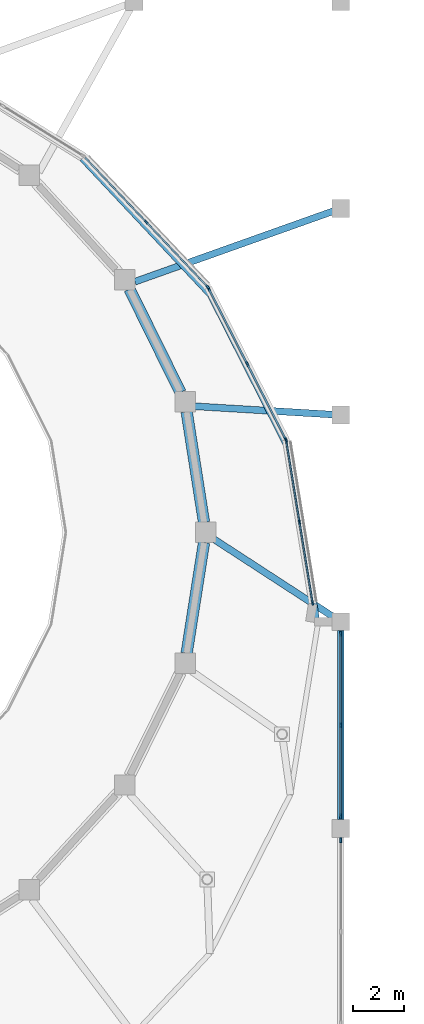
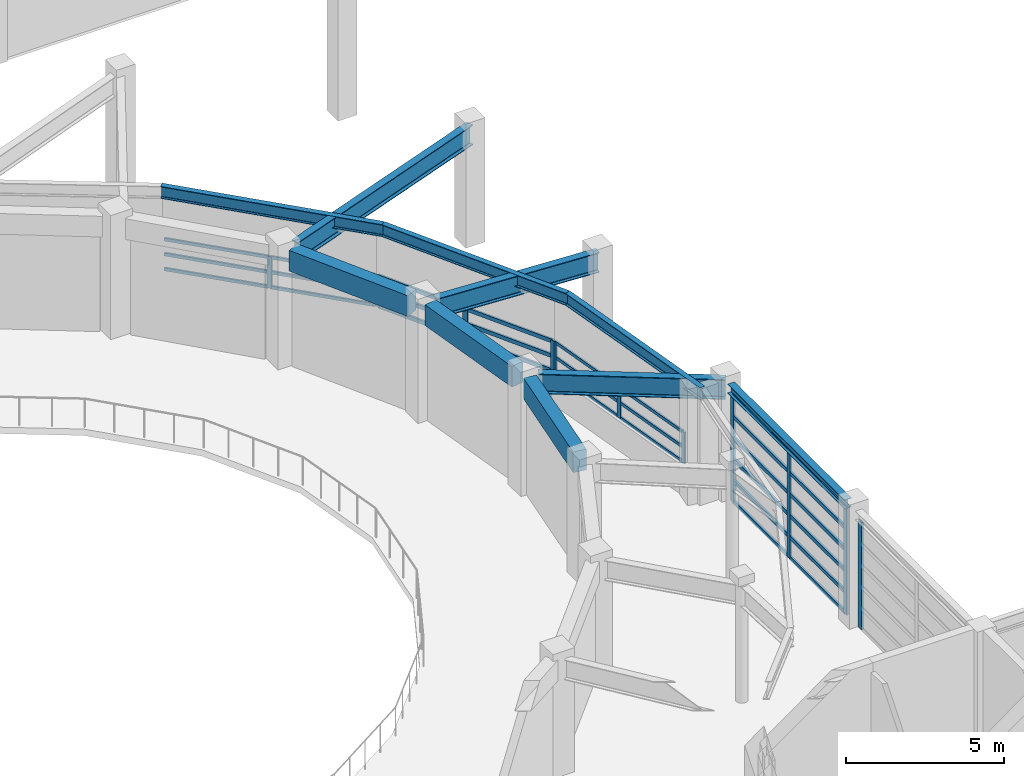
# One storey, part 22 of 58: 42 members, 10 beams, 5 elements without a shape of their own.
"""IFC4 building model written with IfcOpenShell, lengths in metres."""

from ifc_helpers import new_model, si_unit, direction, frame, origin, origin_2d, place, context, subcontext, project, spatial, rectangle, i_section, extrude, material, material_profile, profile_set, type_object, element, aggregate, save


model = new_model("IFC4")

# Units and contexts
model_context = context("Model", 3, precision=1e-05, world=origin(), true_north=direction((0.0, 1.0)))
body_context = subcontext(model_context, "Body", "Model", "MODEL_VIEW")
ifc_project = project(units=[si_unit("LENGTHUNIT", "METRE"), si_unit("AREAUNIT", "SQUARE_METRE"), si_unit("VOLUMEUNIT", "CUBIC_METRE"), si_unit("PLANEANGLEUNIT", "RADIAN"), si_unit("MASSUNIT", "GRAM", prefix="KILO")], contexts=[model_context])

# Site, building, storey
site_placement = place(None, origin())
site = spatial("IfcSite", under=ifc_project, at=site_placement, CompositionType="ELEMENT")
building_placement = place(site_placement, origin())
building = spatial("IfcBuilding", under=site, at=building_placement, Name="Parian Resonance Hall", CompositionType="ELEMENT")
storey_placement = place(building_placement, frame((0.0, 0.0, 10.199951171875)))
storey = spatial("IfcBuildingStorey", under=building, at=storey_placement, Name="L02", CompositionType="ELEMENT", Elevation=10.199951171875)

# Beams
ifc_material_1 = material(Name="Concrete C40/50", Category="concrete")
ifc_material_profile_1 = material_profile(ifc_material_1, rectangle(XDim=0.449951171875, YDim=0.800048828125, at=origin_2d()), Name="RC-BM-450x800")
ifc_profile_set_1 = profile_set([ifc_material_profile_1], Name="Concrete C40/50")
beam_type_1 = type_object("IfcBeamType", Name="BM-RC450x800", PredefinedType="USERDEFINED", material=ifc_profile_set_1)
beam_1_placement = place(storey_placement, frame((67.5380859375, 44.395263671875, 4.130126953125), z_axis=(-0.155033793728, 0.987909167283, 0.0), x_axis=(-0.987909167283, -0.155033793728, 0.0)))
element("IfcBeam", 1, at=beam_1_placement, inside=storey, type_object=beam_type_1, Name="Concert hall drum ring beam L02-01", ObjectType="GIRDER", PredefinedType="USERDEFINED", context=body_context, shape_type="SweptSolid", body=[
    extrude(rectangle(XDim=0.449951171875, YDim=0.800048828125, at=origin_2d()), origin(), (0.0, 0.0, 1.0), 4.38720703125),
])
beam_2_placement = place(storey_placement, frame((66.61865234375, 49.4833984375, 4.130126953125), z_axis=(-0.442697851544, 0.896670849441, 0.0), x_axis=(-0.896670849441, -0.442697851544, 0.0)))
element("IfcBeam", 2, at=beam_2_placement, inside=storey, type_object=beam_type_1, Name="Concert hall drum ring beam L02-02", ObjectType="GIRDER", PredefinedType="USERDEFINED", context=body_context, shape_type="SweptSolid", body=[
    extrude(rectangle(XDim=0.449951171875, YDim=0.800048828125, at=origin_2d()), origin(), (0.0, 0.0, 1.0), 4.525390625),
])
beam_3_placement = place(storey_placement, frame((66.85791015625, 39.2705078125, 4.130126953125), z_axis=(0.155033793728, 0.987909167283, 0.0), x_axis=(-0.987909167283, 0.155033793728, 0.0)))
element("IfcBeam", 3, at=beam_3_placement, inside=storey, type_object=beam_type_1, Name="Concert hall drum ring beam L02-24", ObjectType="GIRDER", PredefinedType="USERDEFINED", context=body_context, shape_type="SweptSolid", body=[
    extrude(rectangle(XDim=0.449951171875, YDim=0.800048828125, at=origin_2d()), origin(), (0.0, 0.0, 1.0), 4.38720703125),
])
ifc_material_2 = material(Name="Steel S355", Category="steel")
ifc_material_profile_2 = material_profile(ifc_material_2, i_section(OverallWidth=0.2548828125, OverallDepth=0.35693359375, WebThickness=0.010498046875, FlangeThickness=0.018310546875, FilletRadius=0.01513671875, at=origin_2d()), Name="W360x101")
ifc_profile_set_2 = profile_set([ifc_material_profile_2], Name="Steel S355")
beam_type_2 = type_object("IfcBeamType", Name="BM-W360x101", PredefinedType="SPANDREL", material=ifc_profile_set_2)
beam_4_placement = place(storey_placement, frame((72.89990234375, 32.75, 4.321533203125), z_axis=(0.0, 1.0, 0.0), x_axis=(-1.0, 0.0, 0.0)))
element("IfcBeam", 4, at=beam_4_placement, inside=storey, type_object=beam_type_2, Name="GY-L02-0764", PredefinedType="SPANDREL", context=body_context, shape_type="SweptSolid", body=[
    extrude(i_section(OverallWidth=0.2548828125, OverallDepth=0.35693359375, WebThickness=0.010498046875, FlangeThickness=0.018310546875, FilletRadius=0.01513671875, at=origin_2d()), origin(), (0.0, 0.0, 1.0), 7.39990234375),
])
ifc_material_3 = material(Name="Steel S355", Category="steel")
ifc_material_profile_3 = material_profile(ifc_material_3, i_section(OverallWidth=0.194091796875, OverallDepth=0.468994140625, WebThickness=0.0126953125, FlangeThickness=0.0205078125, FilletRadius=0.01513671875, at=origin_2d()), Name="W460x106")
ifc_profile_set_3 = profile_set([ifc_material_profile_3], Name="Steel S355")
beam_type_3 = type_object("IfcBeamType", Name="BM-W460x106", PredefinedType="SPANDREL", material=ifc_profile_set_3)
beam_5_placement = place(storey_placement, frame((72.0, 40.39990234375, 4.265625), z_axis=(-0.159181370366, 0.987249356206, 0.0), x_axis=(-0.987249356206, -0.159181370366, 0.0)))
element("IfcBeam", 5, at=beam_5_placement, inside=storey, type_object=beam_type_3, Name="Elliptical R3 perimeter spandrel beam 01", PredefinedType="SPANDREL", context=body_context, shape_type="SweptSolid", body=[
    extrude(i_section(OverallWidth=0.194091796875, OverallDepth=0.468994140625, WebThickness=0.0126953125, FlangeThickness=0.0205078125, FilletRadius=0.01513671875, at=origin_2d()), origin(), (0.0, 0.0, 1.0), 6.763671875),
])
beam_6_placement = place(storey_placement, frame((70.92333984375, 47.077392578125, 4.265625), z_axis=(-0.452440262938, 0.891794712068, 0.0), x_axis=(-0.891794712068, -0.452440262938, 0.0)))
element("IfcBeam", 6, at=beam_6_placement, inside=storey, type_object=beam_type_3, Name="Elliptical R3 perimeter spandrel beam 02", PredefinedType="SPANDREL", context=body_context, shape_type="SweptSolid", body=[
    extrude(i_section(OverallWidth=0.194091796875, OverallDepth=0.468994140625, WebThickness=0.0126953125, FlangeThickness=0.0205078125, FilletRadius=0.01513671875, at=origin_2d()), origin(), (0.0, 0.0, 1.0), 6.977783203125),
])
beam_7_placement = place(storey_placement, frame((67.766357421875, 53.300048828125, 4.265625), z_axis=(-0.684842129235, 0.728691469708, 0.0), x_axis=(-0.728691469708, -0.684842129235, 0.0)))
element("IfcBeam", 7, at=beam_7_placement, inside=storey, type_object=beam_type_3, Name="Elliptical R3 perimeter spandrel beam 03", PredefinedType="SPANDREL", context=body_context, shape_type="SweptSolid", body=[
    extrude(i_section(OverallWidth=0.194091796875, OverallDepth=0.468994140625, WebThickness=0.0126953125, FlangeThickness=0.0205078125, FilletRadius=0.01513671875, at=origin_2d()), origin(), (0.0, 0.0, 1.0), 7.332763671875),
])
ifc_material_4 = material(Name="Steel S355", Category="steel")
ifc_material_profile_4 = material_profile(ifc_material_4, i_section(OverallWidth=0.26806640625, OverallDepth=0.77001953125, WebThickness=0.015625, FlangeThickness=0.025390625, FilletRadius=0.020263671875, at=origin_2d()), Name="W760x196")
ifc_profile_set_4 = profile_set([ifc_material_profile_4], Name="Steel S355")
beam_type_4 = type_object("IfcBeamType", Name="CG3 W760x196", PredefinedType="USERDEFINED", material=ifc_profile_set_4)
beam_8_placement = place(storey_placement, frame((67.90966796875, 43.74658203125, 4.114990234375), z_axis=(0.838218681533, -0.545334247897, 0.0), x_axis=(0.545334247897, 0.838218681533, 0.0)))
element("IfcBeam", 8, at=beam_8_placement, inside=storey, type_object=beam_type_4, Name="Radial spine girder R3-01", ObjectType="GIRDER", PredefinedType="USERDEFINED", context=body_context, shape_type="SweptSolid", body=[
    extrude(i_section(OverallWidth=0.26806640625, OverallDepth=0.77001953125, WebThickness=0.015625, FlangeThickness=0.025390625, FilletRadius=0.020263671875, at=origin_2d()), origin(), (0.0, 0.0, 1.0), 5.953369140625),
])
beam_9_placement = place(storey_placement, frame((67.154052734375, 48.947021484375, 4.114990234375), z_axis=(0.998182207481, -0.060268405219, 0.0), x_axis=(0.060268405219, 0.998182207481, 0.0)))
element("IfcBeam", 9, at=beam_9_placement, inside=storey, type_object=beam_type_4, Name="Radial spine girder R3-02", ObjectType="GIRDER", PredefinedType="USERDEFINED", context=body_context, shape_type="SweptSolid", body=[
    extrude(i_section(OverallWidth=0.26806640625, OverallDepth=0.77001953125, WebThickness=0.015625, FlangeThickness=0.025390625, FilletRadius=0.020263671875, at=origin_2d()), origin(), (0.0, 0.0, 1.0), 5.75634765625),
])
beam_10_placement = place(storey_placement, frame((64.831787109375, 53.8291015625, 4.114990234375), z_axis=(0.942134073154, 0.335236316949, 0.0), x_axis=(-0.335236316949, 0.942134073154, 0.0)))
element("IfcBeam", 10, at=beam_10_placement, inside=storey, type_object=beam_type_4, Name="Radial spine girder R3-03", ObjectType="GIRDER", PredefinedType="USERDEFINED", context=body_context, shape_type="SweptSolid", body=[
    extrude(i_section(OverallWidth=0.26806640625, OverallDepth=0.77001953125, WebThickness=0.015625, FlangeThickness=0.025390625, FilletRadius=0.020263671875, at=origin_2d()), origin(), (0.0, 0.0, 1.0), 8.563720703125),
])

# Curtain wall, members
ifc_material_5 = material(Name="Bronze-anodised aluminium frame", Category="aluminium")
curtain_wall_type_1 = type_object("IfcCurtainWallType", Name="CW-SYS-02", PredefinedType="NOTDEFINED", material=ifc_material_5)
curtain_wall_1_placement = place(storey_placement, origin())
curtain_wall_1 = element("IfcCurtainWall", 11, at=curtain_wall_1_placement, inside=storey, type_object=curtain_wall_type_1, Name="Elliptical R2 recessed strip curtain wall 01", PredefinedType="NOTDEFINED")
ifc_material_6 = material(Name="Bronze-anodised aluminium frame", Category="aluminium")
ifc_material_profile_5 = material_profile(ifc_material_6, rectangle(XDim=0.06494140625, YDim=0.159912109375, at=origin_2d()), Name="CWM-65x160")
ifc_profile_set_5 = profile_set([ifc_material_profile_5], Name="Bronze-anodised aluminium frame")
member_type_1 = type_object("IfcMemberType", Name="CWM-65x160", PredefinedType="MULLION", material=ifc_profile_set_5)
member_1_placement = place(storey_placement, frame((70.762451171875, 47.586669921875, 1.14208984375), z_axis=(0.0, 0.0, 1.0), x_axis=(0.98706098059, 0.160345316726, 0.0)))
member_1 = element("IfcMember", 12, at=member_1_placement, type_object=member_type_1, Name="CW-02 mullion 1", PredefinedType="MULLION", context=body_context, shape_type="SweptSolid", body=[
    extrude(rectangle(XDim=0.06494140625, YDim=0.159912109375, at=origin_2d()), origin(), (0.0, 0.0, 1.0), 1.218017578125),
])
member_2_placement = place(storey_placement, frame((71.278564453125, 44.409423828125, 1.14208984375), z_axis=(0.0, 0.0, 1.0), x_axis=(0.98706098059, 0.160345316726, 0.0)))
member_2 = element("IfcMember", 13, at=member_2_placement, type_object=member_type_1, Name="CW-02 mullion 2", PredefinedType="MULLION", context=body_context, shape_type="SweptSolid", body=[
    extrude(rectangle(XDim=0.06494140625, YDim=0.159912109375, at=origin_2d()), origin(), (0.0, 0.0, 1.0), 1.218017578125),
])
member_3_placement = place(storey_placement, frame((71.794677734375, 41.232177734375, 1.14208984375), z_axis=(0.0, 0.0, 1.0), x_axis=(0.98706098059, 0.160345316726, 0.0)))
member_3 = element("IfcMember", 14, at=member_3_placement, type_object=member_type_1, Name="CW-02 mullion 3", PredefinedType="MULLION", context=body_context, shape_type="SweptSolid", body=[
    extrude(rectangle(XDim=0.06494140625, YDim=0.159912109375, at=origin_2d()), origin(), (0.0, 0.0, 1.0), 1.218017578125),
])

ifc_material_7 = material(Name="Bronze-anodised aluminium frame", Category="aluminium")
curtain_wall_type_2 = type_object("IfcCurtainWallType", Name="CW-SYS-04", PredefinedType="NOTDEFINED", material=ifc_material_7)
curtain_wall_2_placement = place(storey_placement, origin())
curtain_wall_2 = element("IfcCurtainWall", 15, at=curtain_wall_2_placement, inside=storey, type_object=curtain_wall_type_2, Name="Elliptical R2 recessed strip curtain wall 03", PredefinedType="NOTDEFINED")
member_4_placement = place(storey_placement, frame((65.26904296875, 56.168212890625, 1.14208984375), z_axis=(0.0, 0.0, 1.0), x_axis=(0.72616255486, 0.687523049737, 0.0)))
member_4 = element("IfcMember", 16, at=member_4_placement, type_object=member_type_1, Name="CW-04 mullion 2", PredefinedType="MULLION", context=body_context, shape_type="SweptSolid", body=[
    extrude(rectangle(XDim=0.06494140625, YDim=0.159912109375, at=origin_2d()), origin(), (0.0, 0.0, 1.0), 1.218017578125),
])
member_5_placement = place(storey_placement, frame((67.677978515625, 53.62353515625, 1.14208984375), z_axis=(0.0, 0.0, 1.0), x_axis=(0.72616255486, 0.687523049737, 0.0)))
member_5 = element("IfcMember", 17, at=member_5_placement, type_object=member_type_1, Name="CW-04 mullion 3", PredefinedType="MULLION", context=body_context, shape_type="SweptSolid", body=[
    extrude(rectangle(XDim=0.06494140625, YDim=0.159912109375, at=origin_2d()), origin(), (0.0, 0.0, 1.0), 1.218017578125),
])

ifc_material_8 = material(Name="Bronze-anodised aluminium frame", Category="aluminium")
curtain_wall_type_3 = type_object("IfcCurtainWallType", Name="CW-SYS-03", PredefinedType="NOTDEFINED", material=ifc_material_8)
curtain_wall_3_placement = place(storey_placement, origin())
curtain_wall_3 = element("IfcCurtainWall", 18, at=curtain_wall_3_placement, inside=storey, type_object=curtain_wall_type_3, Name="Elliptical R2 recessed strip curtain wall 02", PredefinedType="NOTDEFINED")
ifc_material_9 = material(Name="Bronze-anodised aluminium frame", Category="aluminium")
ifc_material_profile_6 = material_profile(ifc_material_9, rectangle(XDim=0.074951171875, YDim=0.199951171875, at=origin_2d()), Name="CWM-75x200")
ifc_profile_set_6 = profile_set([ifc_material_profile_6], Name="Bronze-anodised aluminium frame")
member_type_2 = type_object("IfcMemberType", Name="CWM-75x200", PredefinedType="MULLION", material=ifc_profile_set_6)
member_6_placement = place(storey_placement, frame((67.717529296875, 53.566650390625, 1.14208984375), z_axis=(0.0, 0.0, 1.0), x_axis=(0.890447284085, 0.455086403076, 0.0)))
member_6 = element("IfcMember", 19, at=member_6_placement, type_object=member_type_2, Name="CW-03 mullion 1", PredefinedType="MULLION", context=body_context, shape_type="SweptSolid", body=[
    extrude(rectangle(XDim=0.074951171875, YDim=0.199951171875, at=origin_2d()), origin(), (0.0, 0.0, 1.0), 1.218017578125),
])
member_7_placement = place(storey_placement, frame((69.228759765625, 50.609375, 1.14208984375), z_axis=(0.0, 0.0, 1.0), x_axis=(0.890447284085, 0.455086403076, 0.0)))
member_7 = element("IfcMember", 20, at=member_7_placement, type_object=member_type_2, Name="CW-03 mullion 2", PredefinedType="MULLION", context=body_context, shape_type="SweptSolid", body=[
    extrude(rectangle(XDim=0.074951171875, YDim=0.199951171875, at=origin_2d()), origin(), (0.0, 0.0, 1.0), 1.218017578125),
])
member_8_placement = place(storey_placement, frame((70.740234375, 47.652099609375, 1.14208984375), z_axis=(0.0, 0.0, 1.0), x_axis=(0.890447284085, 0.455086403076, 0.0)))
member_8 = element("IfcMember", 21, at=member_8_placement, type_object=member_type_2, Name="CW-03 mullion 3", PredefinedType="MULLION", context=body_context, shape_type="SweptSolid", body=[
    extrude(rectangle(XDim=0.074951171875, YDim=0.199951171875, at=origin_2d()), origin(), (0.0, 0.0, 1.0), 1.218017578125),
])

# Curtain wall, member
curtain_wall_4_placement = place(storey_placement, origin())
curtain_wall_4 = element("IfcCurtainWall", 22, at=curtain_wall_4_placement, inside=storey, type_object=curtain_wall_type_2, Name="Curtain wall CW-L02-132", PredefinedType="NOTDEFINED")
member_9_placement = place(storey_placement, frame((72.89990234375, 31.9326171875, -0.008056640625), z_axis=(0.0, 0.0, 1.0), x_axis=(1.0, 0.0, 0.0)))
member_9 = element("IfcMember", 23, at=member_9_placement, type_object=member_type_2, Name="CW-04 mullion 1", PredefinedType="MULLION", context=body_context, shape_type="SweptSolid", body=[
    extrude(rectangle(XDim=0.074951171875, YDim=0.199951171875, at=origin_2d()), origin(), (0.0, 0.0, 1.0), 4.155029296875),
])
aggregate(curtain_wall_4, [member_9])

# Curtain wall, members
ifc_material_10 = material(Name="Bronze-anodised aluminium frame", Category="aluminium")
curtain_wall_type_4 = type_object("IfcCurtainWallType", Name="CW-SYS-05", PredefinedType="NOTDEFINED", material=ifc_material_10)
curtain_wall_5_placement = place(storey_placement, origin())
curtain_wall_5 = element("IfcCurtainWall", 24, at=curtain_wall_5_placement, inside=storey, type_object=curtain_wall_type_4, Name="Curtain wall CW-L02-136", PredefinedType="NOTDEFINED")
member_10_placement = place(storey_placement, frame((72.89990234375, 40.032470703125, -0.008056640625), z_axis=(0.0, 0.0, 1.0), x_axis=(1.0, 0.0, 0.0)))
member_10 = element("IfcMember", 25, at=member_10_placement, type_object=member_type_2, Name="CW-05 mullion 1", PredefinedType="MULLION", context=body_context, shape_type="SweptSolid", body=[
    extrude(rectangle(XDim=0.074951171875, YDim=0.199951171875, at=origin_2d()), origin(), (0.0, 0.0, 1.0), 4.155029296875),
])
member_11_placement = place(storey_placement, frame((72.89990234375, 36.449951171875, -0.008056640625), z_axis=(0.0, 0.0, 1.0), x_axis=(1.0, 0.0, 0.0)))
member_11 = element("IfcMember", 26, at=member_11_placement, type_object=member_type_2, Name="CW-05 mullion 2", PredefinedType="MULLION", context=body_context, shape_type="SweptSolid", body=[
    extrude(rectangle(XDim=0.074951171875, YDim=0.199951171875, at=origin_2d()), origin(), (0.0, 0.0, 1.0), 4.155029296875),
])
member_12_placement = place(storey_placement, frame((72.89990234375, 32.867431640625, -0.008056640625), z_axis=(0.0, 0.0, 1.0), x_axis=(1.0, 0.0, 0.0)))
member_12 = element("IfcMember", 27, at=member_12_placement, type_object=member_type_2, Name="CW-05 mullion 3", PredefinedType="MULLION", context=body_context, shape_type="SweptSolid", body=[
    extrude(rectangle(XDim=0.074951171875, YDim=0.199951171875, at=origin_2d()), origin(), (0.0, 0.0, 1.0), 4.155029296875),
])

# Member
ifc_material_11 = material(Name="Bronze-anodised aluminium frame", Category="aluminium")
ifc_material_profile_7 = material_profile(ifc_material_11, rectangle(XDim=0.06494140625, YDim=0.1201171875, at=origin_2d()), Name="CWT-65x120")
ifc_profile_set_7 = profile_set([ifc_material_profile_7], Name="Bronze-anodised aluminium frame")
member_type_3 = type_object("IfcMemberType", Name="CWT-65x120", PredefinedType="USERDEFINED", material=ifc_profile_set_7)
member_13_placement = place(storey_placement, frame((70.767822265625, 47.554443359375, 1.174560546875), z_axis=(0.160317821363, -0.987065446743, 0.0), x_axis=(0.987065446743, 0.160317821363, 0.0)))
member_13 = element("IfcMember", 28, at=member_13_placement, type_object=member_type_3, Name="CW-02 transom 1.1", ObjectType="TRANSOM", PredefinedType="USERDEFINED", context=body_context, shape_type="SweptSolid", body=[
    extrude(rectangle(XDim=0.06494140625, YDim=0.1201171875, at=origin_2d()), origin(), (0.0, 0.0, 1.0), 3.15380859375),
])

member_14_placement = place(storey_placement, frame((70.767822265625, 47.554443359375, 1.75), z_axis=(0.160317821363, -0.987065446743, 0.0), x_axis=(0.987065446743, 0.160317821363, 0.0)))
member_14 = element("IfcMember", 29, at=member_14_placement, type_object=member_type_3, Name="CW-02 transom 1.2", ObjectType="TRANSOM", PredefinedType="USERDEFINED", context=body_context, shape_type="SweptSolid", body=[
    extrude(rectangle(XDim=0.06494140625, YDim=0.1201171875, at=origin_2d()), origin(), (0.0, 0.0, 1.0), 3.15380859375),
])

member_15_placement = place(storey_placement, frame((70.767822265625, 47.554443359375, 2.32763671875), z_axis=(0.160317821363, -0.987065446743, 0.0), x_axis=(0.987065446743, 0.160317821363, 0.0)))
member_15 = element("IfcMember", 30, at=member_15_placement, type_object=member_type_3, Name="CW-02 transom 1.3", ObjectType="TRANSOM", PredefinedType="USERDEFINED", context=body_context, shape_type="SweptSolid", body=[
    extrude(rectangle(XDim=0.06494140625, YDim=0.1201171875, at=origin_2d()), origin(), (0.0, 0.0, 1.0), 3.15380859375),
])

member_16_placement = place(storey_placement, frame((71.283935546875, 44.377197265625, 1.174560546875), z_axis=(0.160317821363, -0.987065446743, 0.0), x_axis=(0.987065446743, 0.160317821363, 0.0)))
member_16 = element("IfcMember", 31, at=member_16_placement, type_object=member_type_3, Name="CW-02 transom 2.1", ObjectType="TRANSOM", PredefinedType="USERDEFINED", context=body_context, shape_type="SweptSolid", body=[
    extrude(rectangle(XDim=0.06494140625, YDim=0.1201171875, at=origin_2d()), origin(), (0.0, 0.0, 1.0), 3.15380859375),
])

member_17_placement = place(storey_placement, frame((71.283935546875, 44.377197265625, 1.75), z_axis=(0.160317821363, -0.987065446743, 0.0), x_axis=(0.987065446743, 0.160317821363, 0.0)))
member_17 = element("IfcMember", 32, at=member_17_placement, type_object=member_type_3, Name="CW-02 transom 2.2", ObjectType="TRANSOM", PredefinedType="USERDEFINED", context=body_context, shape_type="SweptSolid", body=[
    extrude(rectangle(XDim=0.06494140625, YDim=0.1201171875, at=origin_2d()), origin(), (0.0, 0.0, 1.0), 3.15380859375),
])

member_18_placement = place(storey_placement, frame((71.283935546875, 44.377197265625, 2.32763671875), z_axis=(0.160317821363, -0.987065446743, 0.0), x_axis=(0.987065446743, 0.160317821363, 0.0)))
member_18 = element("IfcMember", 33, at=member_18_placement, type_object=member_type_3, Name="CW-02 transom 2.3", ObjectType="TRANSOM", PredefinedType="USERDEFINED", context=body_context, shape_type="SweptSolid", body=[
    extrude(rectangle(XDim=0.06494140625, YDim=0.1201171875, at=origin_2d()), origin(), (0.0, 0.0, 1.0), 3.15380859375),
])

aggregate(curtain_wall_1, [member_1, member_2, member_3, member_13, member_14, member_15, member_16, member_17, member_18])

member_19_placement = place(storey_placement, frame((62.882080078125, 58.68896484375, 1.174560546875), z_axis=(0.68753393021, -0.726152253188, 0.0), x_axis=(0.726152253188, 0.68753393021, 0.0)))
member_19 = element("IfcMember", 34, at=member_19_placement, type_object=member_type_3, Name="CW-04 transom 1.1", ObjectType="TRANSOM", PredefinedType="USERDEFINED", context=body_context, shape_type="SweptSolid", body=[
    extrude(rectangle(XDim=0.06494140625, YDim=0.1201171875, at=origin_2d()), origin(), (0.0, 0.0, 1.0), 3.439208984375),
])

member_20_placement = place(storey_placement, frame((62.882080078125, 58.68896484375, 1.75), z_axis=(0.68753393021, -0.726152253188, 0.0), x_axis=(0.726152253188, 0.68753393021, 0.0)))
member_20 = element("IfcMember", 35, at=member_20_placement, type_object=member_type_3, Name="CW-04 transom 1.2", ObjectType="TRANSOM", PredefinedType="USERDEFINED", context=body_context, shape_type="SweptSolid", body=[
    extrude(rectangle(XDim=0.06494140625, YDim=0.1201171875, at=origin_2d()), origin(), (0.0, 0.0, 1.0), 3.439208984375),
])

member_21_placement = place(storey_placement, frame((62.882080078125, 58.68896484375, 2.32763671875), z_axis=(0.68753393021, -0.726152253188, 0.0), x_axis=(0.726152253188, 0.68753393021, 0.0)))
member_21 = element("IfcMember", 36, at=member_21_placement, type_object=member_type_3, Name="CW-04 transom 1.3", ObjectType="TRANSOM", PredefinedType="USERDEFINED", context=body_context, shape_type="SweptSolid", body=[
    extrude(rectangle(XDim=0.06494140625, YDim=0.1201171875, at=origin_2d()), origin(), (0.0, 0.0, 1.0), 3.439208984375),
])

member_22_placement = place(storey_placement, frame((65.291259765625, 56.14453125, 1.174560546875), z_axis=(0.68753393021, -0.726152253188, 0.0), x_axis=(0.726152253188, 0.68753393021, 0.0)))
member_22 = element("IfcMember", 37, at=member_22_placement, type_object=member_type_3, Name="CW-04 transom 2.1", ObjectType="TRANSOM", PredefinedType="USERDEFINED", context=body_context, shape_type="SweptSolid", body=[
    extrude(rectangle(XDim=0.06494140625, YDim=0.1201171875, at=origin_2d()), origin(), (0.0, 0.0, 1.0), 3.439208984375),
])

member_23_placement = place(storey_placement, frame((65.291259765625, 56.14453125, 1.75), z_axis=(0.68753393021, -0.726152253188, 0.0), x_axis=(0.726152253188, 0.68753393021, 0.0)))
member_23 = element("IfcMember", 38, at=member_23_placement, type_object=member_type_3, Name="CW-04 transom 2.2", ObjectType="TRANSOM", PredefinedType="USERDEFINED", context=body_context, shape_type="SweptSolid", body=[
    extrude(rectangle(XDim=0.06494140625, YDim=0.1201171875, at=origin_2d()), origin(), (0.0, 0.0, 1.0), 3.439208984375),
])

member_24_placement = place(storey_placement, frame((65.291259765625, 56.14453125, 2.32763671875), z_axis=(0.68753393021, -0.726152253188, 0.0), x_axis=(0.726152253188, 0.68753393021, 0.0)))
member_24 = element("IfcMember", 39, at=member_24_placement, type_object=member_type_3, Name="CW-04 transom 2.3", ObjectType="TRANSOM", PredefinedType="USERDEFINED", context=body_context, shape_type="SweptSolid", body=[
    extrude(rectangle(XDim=0.06494140625, YDim=0.1201171875, at=origin_2d()), origin(), (0.0, 0.0, 1.0), 3.439208984375),
])

aggregate(curtain_wall_2, [member_4, member_5, member_19, member_20, member_21, member_22, member_23, member_24])

ifc_material_12 = material(Name="Bronze-anodised aluminium frame", Category="aluminium")
ifc_material_profile_8 = material_profile(ifc_material_12, rectangle(XDim=0.074951171875, YDim=0.14990234375, at=origin_2d()), Name="CWT-75x150")
ifc_profile_set_8 = profile_set([ifc_material_profile_8], Name="Bronze-anodised aluminium frame")
member_type_4 = type_object("IfcMemberType", Name="CWT-75x150", PredefinedType="USERDEFINED", material=ifc_profile_set_8)
member_25_placement = place(storey_placement, frame((67.734619140625, 53.533203125, 1.179443359375), z_axis=(0.455048772445, -0.890466515202, 0.0), x_axis=(0.890466515202, 0.455048772445, 0.0)))
member_25 = element("IfcMember", 40, at=member_25_placement, type_object=member_type_4, Name="CW-03 transom 1.1", ObjectType="TRANSOM", PredefinedType="USERDEFINED", context=body_context, shape_type="SweptSolid", body=[
    extrude(rectangle(XDim=0.074951171875, YDim=0.14990234375, at=origin_2d()), origin(), (0.0, 0.0, 1.0), 3.245849609375),
])

member_26_placement = place(storey_placement, frame((67.734619140625, 53.533203125, 1.75), z_axis=(0.455048772445, -0.890466515202, 0.0), x_axis=(0.890466515202, 0.455048772445, 0.0)))
member_26 = element("IfcMember", 41, at=member_26_placement, type_object=member_type_4, Name="CW-03 transom 1.2", ObjectType="TRANSOM", PredefinedType="USERDEFINED", context=body_context, shape_type="SweptSolid", body=[
    extrude(rectangle(XDim=0.074951171875, YDim=0.14990234375, at=origin_2d()), origin(), (0.0, 0.0, 1.0), 3.245849609375),
])

member_27_placement = place(storey_placement, frame((67.734619140625, 53.533203125, 2.322509765625), z_axis=(0.455048772445, -0.890466515202, 0.0), x_axis=(0.890466515202, 0.455048772445, 0.0)))
member_27 = element("IfcMember", 42, at=member_27_placement, type_object=member_type_4, Name="CW-03 transom 1.3", ObjectType="TRANSOM", PredefinedType="USERDEFINED", context=body_context, shape_type="SweptSolid", body=[
    extrude(rectangle(XDim=0.074951171875, YDim=0.14990234375, at=origin_2d()), origin(), (0.0, 0.0, 1.0), 3.245849609375),
])

member_28_placement = place(storey_placement, frame((69.245849609375, 50.575927734375, 1.179443359375), z_axis=(0.4551084094, -0.890436036834, 0.0), x_axis=(0.890436036834, 0.4551084094, 0.0)))
member_28 = element("IfcMember", 43, at=member_28_placement, type_object=member_type_4, Name="CW-03 transom 2.1", ObjectType="TRANSOM", PredefinedType="USERDEFINED", context=body_context, shape_type="SweptSolid", body=[
    extrude(rectangle(XDim=0.074951171875, YDim=0.14990234375, at=origin_2d()), origin(), (0.0, 0.0, 1.0), 3.24609375),
])

member_29_placement = place(storey_placement, frame((69.245849609375, 50.575927734375, 1.75), z_axis=(0.4551084094, -0.890436036834, 0.0), x_axis=(0.890436036834, 0.4551084094, 0.0)))
member_29 = element("IfcMember", 44, at=member_29_placement, type_object=member_type_4, Name="CW-03 transom 2.2", ObjectType="TRANSOM", PredefinedType="USERDEFINED", context=body_context, shape_type="SweptSolid", body=[
    extrude(rectangle(XDim=0.074951171875, YDim=0.14990234375, at=origin_2d()), origin(), (0.0, 0.0, 1.0), 3.24609375),
])

member_30_placement = place(storey_placement, frame((69.245849609375, 50.575927734375, 2.322509765625), z_axis=(0.4551084094, -0.890436036834, 0.0), x_axis=(0.890436036834, 0.4551084094, 0.0)))
member_30 = element("IfcMember", 45, at=member_30_placement, type_object=member_type_4, Name="CW-03 transom 2.3", ObjectType="TRANSOM", PredefinedType="USERDEFINED", context=body_context, shape_type="SweptSolid", body=[
    extrude(rectangle(XDim=0.074951171875, YDim=0.14990234375, at=origin_2d()), origin(), (0.0, 0.0, 1.0), 3.24609375),
])

aggregate(curtain_wall_3, [member_6, member_7, member_8, member_25, member_26, member_27, member_28, member_29, member_30])

member_31_placement = place(storey_placement, frame((72.89990234375, 39.9951171875, 0.029541015625), z_axis=(0.0, -1.0, 0.0), x_axis=(1.0, 0.0, 0.0)))
member_31 = element("IfcMember", 46, at=member_31_placement, type_object=member_type_4, Name="CW-05 transom 1.1", ObjectType="TRANSOM", PredefinedType="USERDEFINED", context=body_context, shape_type="SweptSolid", body=[
    extrude(rectangle(XDim=0.074951171875, YDim=0.14990234375, at=origin_2d()), origin(), (0.0, 0.0, 1.0), 3.507568359375),
])

member_32_placement = place(storey_placement, frame((72.89990234375, 39.9951171875, 0.827392578125), z_axis=(0.0, -1.0, 0.0), x_axis=(1.0, 0.0, 0.0)))
member_32 = element("IfcMember", 47, at=member_32_placement, type_object=member_type_4, Name="CW-05 transom 1.2", ObjectType="TRANSOM", PredefinedType="USERDEFINED", context=body_context, shape_type="SweptSolid", body=[
    extrude(rectangle(XDim=0.074951171875, YDim=0.14990234375, at=origin_2d()), origin(), (0.0, 0.0, 1.0), 3.507568359375),
])

member_33_placement = place(storey_placement, frame((72.89990234375, 39.9951171875, 1.65478515625), z_axis=(0.0, -1.0, 0.0), x_axis=(1.0, 0.0, 0.0)))
member_33 = element("IfcMember", 48, at=member_33_placement, type_object=member_type_4, Name="CW-05 transom 1.3", ObjectType="TRANSOM", PredefinedType="USERDEFINED", context=body_context, shape_type="SweptSolid", body=[
    extrude(rectangle(XDim=0.074951171875, YDim=0.14990234375, at=origin_2d()), origin(), (0.0, 0.0, 1.0), 3.507568359375),
])

member_34_placement = place(storey_placement, frame((72.89990234375, 39.9951171875, 2.482177734375), z_axis=(0.0, -1.0, 0.0), x_axis=(1.0, 0.0, 0.0)))
member_34 = element("IfcMember", 49, at=member_34_placement, type_object=member_type_4, Name="CW-05 transom 1.4", ObjectType="TRANSOM", PredefinedType="USERDEFINED", context=body_context, shape_type="SweptSolid", body=[
    extrude(rectangle(XDim=0.074951171875, YDim=0.14990234375, at=origin_2d()), origin(), (0.0, 0.0, 1.0), 3.507568359375),
])

member_35_placement = place(storey_placement, frame((72.89990234375, 39.9951171875, 3.3095703125), z_axis=(0.0, -1.0, 0.0), x_axis=(1.0, 0.0, 0.0)))
member_35 = element("IfcMember", 50, at=member_35_placement, type_object=member_type_4, Name="CW-05 transom 1.5", ObjectType="TRANSOM", PredefinedType="USERDEFINED", context=body_context, shape_type="SweptSolid", body=[
    extrude(rectangle(XDim=0.074951171875, YDim=0.14990234375, at=origin_2d()), origin(), (0.0, 0.0, 1.0), 3.507568359375),
])

member_36_placement = place(storey_placement, frame((72.89990234375, 39.9951171875, 4.109619140625), z_axis=(0.0, -1.0, 0.0), x_axis=(1.0, 0.0, 0.0)))
member_36 = element("IfcMember", 51, at=member_36_placement, type_object=member_type_4, Name="CW-05 transom 1.6", ObjectType="TRANSOM", PredefinedType="USERDEFINED", context=body_context, shape_type="SweptSolid", body=[
    extrude(rectangle(XDim=0.074951171875, YDim=0.14990234375, at=origin_2d()), origin(), (0.0, 0.0, 1.0), 3.507568359375),
])

member_37_placement = place(storey_placement, frame((72.89990234375, 36.41259765625, 0.029541015625), z_axis=(0.0, -1.0, 0.0), x_axis=(1.0, 0.0, 0.0)))
member_37 = element("IfcMember", 52, at=member_37_placement, type_object=member_type_4, Name="CW-05 transom 2.1", ObjectType="TRANSOM", PredefinedType="USERDEFINED", context=body_context, shape_type="SweptSolid", body=[
    extrude(rectangle(XDim=0.074951171875, YDim=0.14990234375, at=origin_2d()), origin(), (0.0, 0.0, 1.0), 3.507568359375),
])

member_38_placement = place(storey_placement, frame((72.89990234375, 36.41259765625, 0.827392578125), z_axis=(0.0, -1.0, 0.0), x_axis=(1.0, 0.0, 0.0)))
member_38 = element("IfcMember", 53, at=member_38_placement, type_object=member_type_4, Name="CW-05 transom 2.2", ObjectType="TRANSOM", PredefinedType="USERDEFINED", context=body_context, shape_type="SweptSolid", body=[
    extrude(rectangle(XDim=0.074951171875, YDim=0.14990234375, at=origin_2d()), origin(), (0.0, 0.0, 1.0), 3.507568359375),
])

member_39_placement = place(storey_placement, frame((72.89990234375, 36.41259765625, 1.65478515625), z_axis=(0.0, -1.0, 0.0), x_axis=(1.0, 0.0, 0.0)))
member_39 = element("IfcMember", 54, at=member_39_placement, type_object=member_type_4, Name="CW-05 transom 2.3", ObjectType="TRANSOM", PredefinedType="USERDEFINED", context=body_context, shape_type="SweptSolid", body=[
    extrude(rectangle(XDim=0.074951171875, YDim=0.14990234375, at=origin_2d()), origin(), (0.0, 0.0, 1.0), 3.507568359375),
])

member_40_placement = place(storey_placement, frame((72.89990234375, 36.41259765625, 2.482177734375), z_axis=(0.0, -1.0, 0.0), x_axis=(1.0, 0.0, 0.0)))
member_40 = element("IfcMember", 55, at=member_40_placement, type_object=member_type_4, Name="CW-05 transom 2.4", ObjectType="TRANSOM", PredefinedType="USERDEFINED", context=body_context, shape_type="SweptSolid", body=[
    extrude(rectangle(XDim=0.074951171875, YDim=0.14990234375, at=origin_2d()), origin(), (0.0, 0.0, 1.0), 3.507568359375),
])

member_41_placement = place(storey_placement, frame((72.89990234375, 36.41259765625, 3.3095703125), z_axis=(0.0, -1.0, 0.0), x_axis=(1.0, 0.0, 0.0)))
member_41 = element("IfcMember", 56, at=member_41_placement, type_object=member_type_4, Name="CW-05 transom 2.5", ObjectType="TRANSOM", PredefinedType="USERDEFINED", context=body_context, shape_type="SweptSolid", body=[
    extrude(rectangle(XDim=0.074951171875, YDim=0.14990234375, at=origin_2d()), origin(), (0.0, 0.0, 1.0), 3.507568359375),
])

member_42_placement = place(storey_placement, frame((72.89990234375, 36.41259765625, 4.109619140625), z_axis=(0.0, -1.0, 0.0), x_axis=(1.0, 0.0, 0.0)))
member_42 = element("IfcMember", 57, at=member_42_placement, type_object=member_type_4, Name="CW-05 transom 2.6", ObjectType="TRANSOM", PredefinedType="USERDEFINED", context=body_context, shape_type="SweptSolid", body=[
    extrude(rectangle(XDim=0.074951171875, YDim=0.14990234375, at=origin_2d()), origin(), (0.0, 0.0, 1.0), 3.507568359375),
])

aggregate(curtain_wall_5, [member_10, member_11, member_12, member_31, member_32, member_33, member_34, member_35, member_36, member_37, member_38, member_39, member_40, member_41, member_42])

save(model, "model.ifc")
